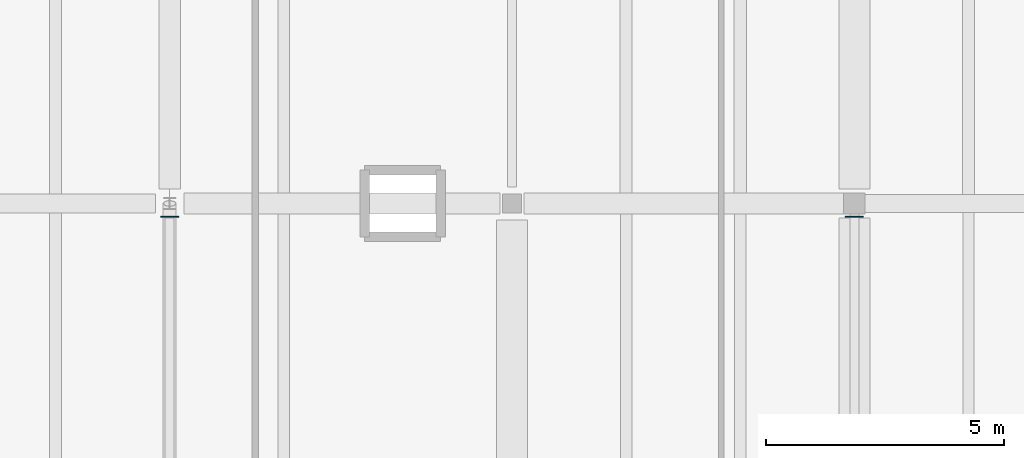
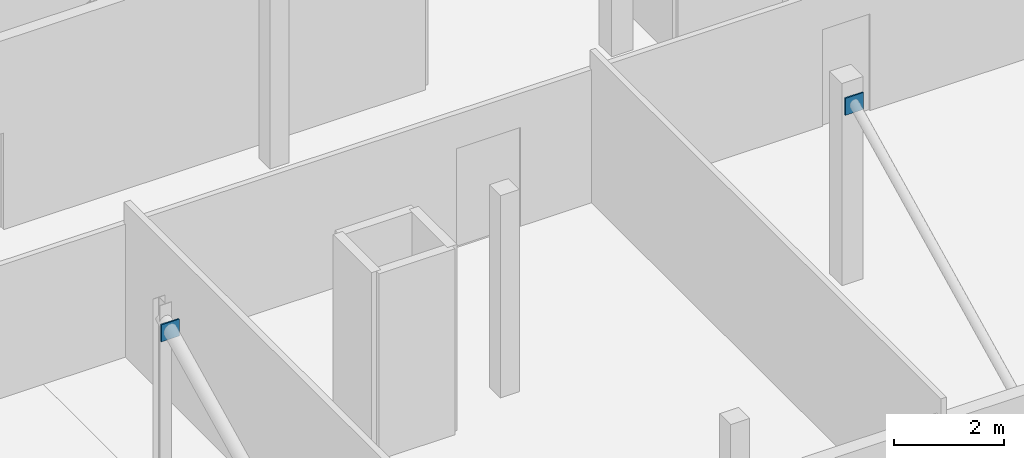
# One storey, part 28 of 34: 2 plates.
"""IFC4 building model written with IfcOpenShell, lengths in metres."""

from ifc_helpers import new_model, si_unit, direction, frame, origin, origin_2d, place, context, subcontext, project, spatial, rectangle, extrude, material, layer, layer_set, type_object, element, save


model = new_model("IFC4")

# Units and contexts
model_context = context("Model", 3, precision=1e-05, world=origin(), true_north=direction((0.0, 1.0)))
body_context = subcontext(model_context, "Body", "Model", "MODEL_VIEW")
ifc_project = project(units=[si_unit("LENGTHUNIT", "METRE"), si_unit("AREAUNIT", "SQUARE_METRE"), si_unit("VOLUMEUNIT", "CUBIC_METRE"), si_unit("PLANEANGLEUNIT", "RADIAN"), si_unit("MASSUNIT", "GRAM", prefix="KILO")], contexts=[model_context])

# Site, building, storey
site_placement = place(None, origin())
site = spatial("IfcSite", under=ifc_project, at=site_placement, CompositionType="ELEMENT")
building_placement = place(site_placement, origin())
building = spatial("IfcBuilding", under=site, at=building_placement, Name="Kalluvel Institute of Natural Sciences", CompositionType="ELEMENT")
storey_placement = place(building_placement, frame((0.0, 0.0, 36.89990234375)))
storey = spatial("IfcBuildingStorey", under=building, at=storey_placement, Name="L08", CompositionType="ELEMENT", Elevation=36.89990234375)

# Plates
ifc_material = material(Name="Steel E350 Grade 350", Category="steel")
ifc_layer = layer(ifc_material, 0.028076171875)
ifc_layer_set = layer_set([ifc_layer], Name="Steel E350 Grade 350")
plate_type = type_object("IfcPlateType", Name="PL-GUS-380x28", PredefinedType="USERDEFINED", material=ifc_layer_set)
for number, where, z_axis, x_axis, name in (
    (1, (64.39990234375, 110.919921875, 3.820068359375), (0.0, 0.0, 1.0), (1.0, 0.0, 0.0), "Crown lateral brace strut 4 node gusset and end cap plate N"),
    (2, (78.800048828125, 110.919921875, 3.820068359375), (0.0, 0.0, 1.0), (1.0, 0.0, 0.0), "Crown lateral brace strut 5 node gusset and end cap plate N"),
):
    element("IfcPlate", number, at=place(storey_placement, frame(where, z_axis=z_axis, x_axis=x_axis)), inside=storey, type_object=plate_type, Name=name, ObjectType="GUSSET PLATE", PredefinedType="USERDEFINED", context=body_context, shape_type="SweptSolid", body=[
        extrude(rectangle(XDim=0.3798828125, YDim=0.028076171875, at=origin_2d()), origin(), (0.0, 0.0, 1.0), 0.3798828125),
    ])

save(model, "model.ifc")
